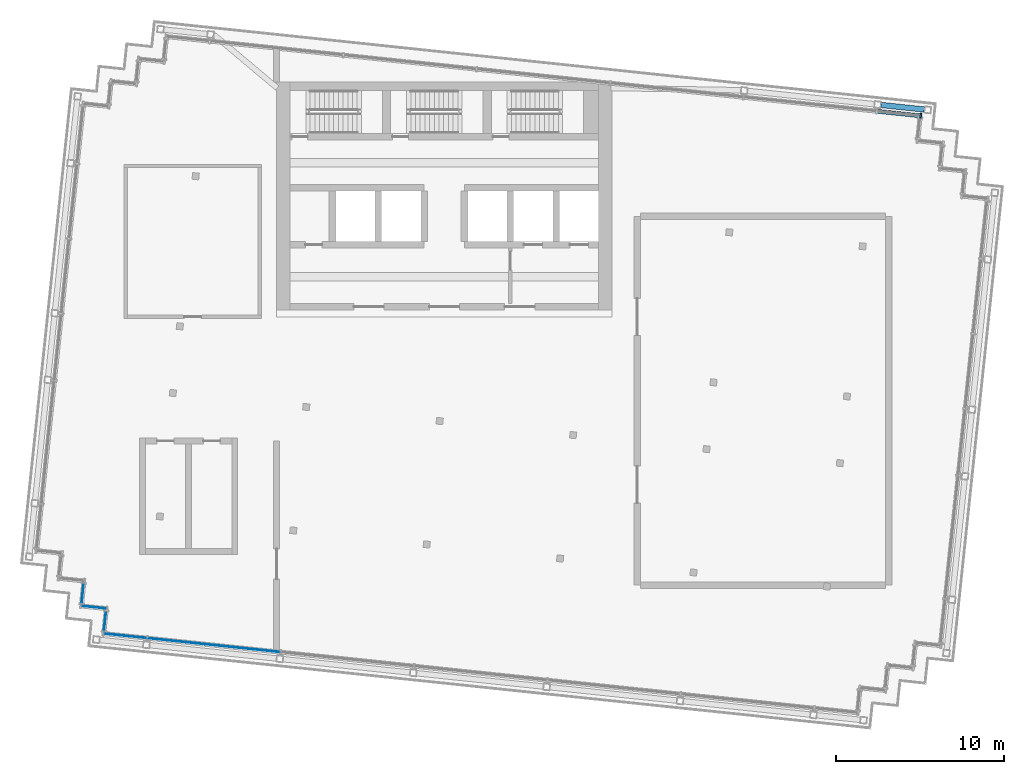
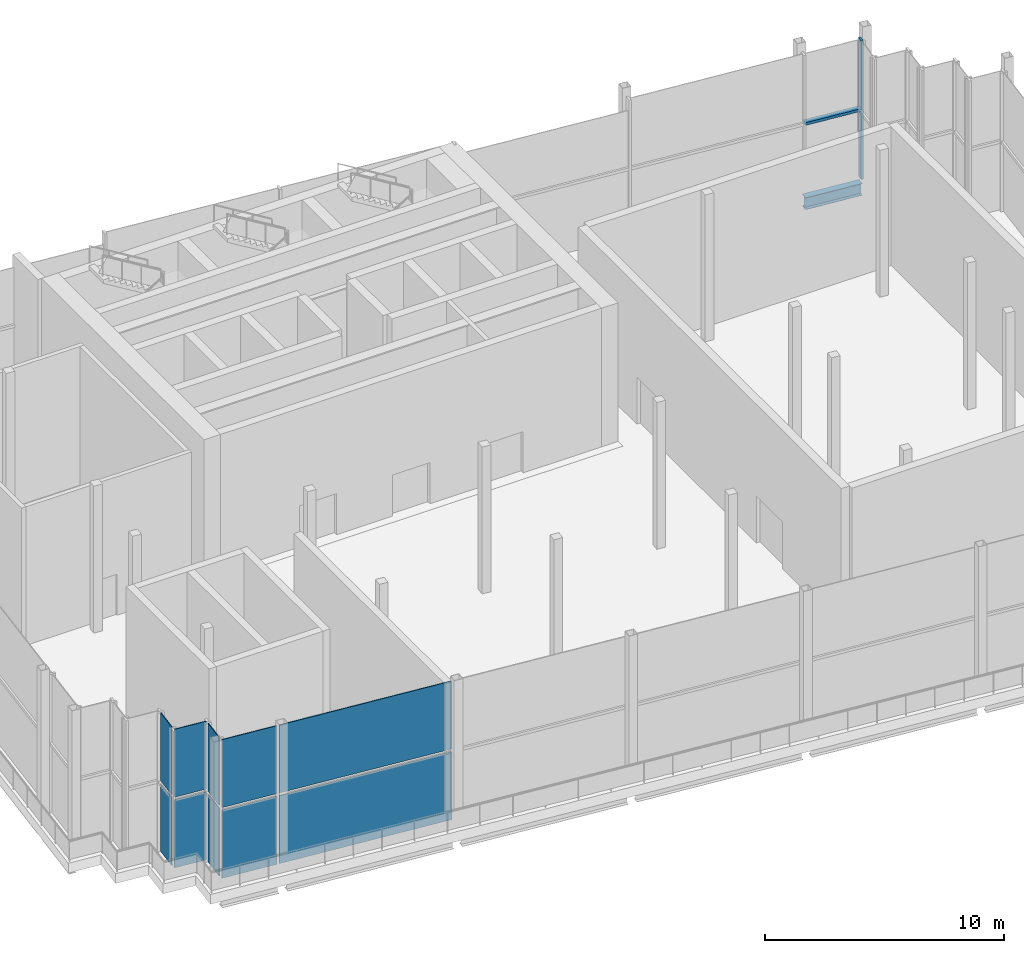
# One storey, part 6 of 14: 10 plates, 2 members, 1 beam, 5 elements without a shape of their own.
"""IFC4 building model written with IfcOpenShell, lengths in metres."""

from ifc_helpers import new_model, si_unit, direction, frame, origin, origin_2d, place, context, subcontext, project, spatial, rectangle, i_section, extrude, material, layer, layer_set, material_profile, profile_set, type_object, element, aggregate, save


model = new_model("IFC4")

# Units and contexts
model_context = context("Model", 3, precision=1e-05, world=origin(), true_north=direction((0.0, 1.0)))
body_context = subcontext(model_context, "Body", "Model", "MODEL_VIEW")
ifc_project = project(units=[si_unit("LENGTHUNIT", "METRE"), si_unit("AREAUNIT", "SQUARE_METRE"), si_unit("VOLUMEUNIT", "CUBIC_METRE"), si_unit("PLANEANGLEUNIT", "RADIAN"), si_unit("MASSUNIT", "GRAM", prefix="KILO")], contexts=[model_context])

# Site, building, storey
site_placement = place(None, origin())
site = spatial("IfcSite", under=ifc_project, at=site_placement, CompositionType="ELEMENT")
building_placement = place(site_placement, origin())
building = spatial("IfcBuilding", under=site, at=building_placement, Name="Vidyagriha Tower", CompositionType="ELEMENT")
storey_placement = place(building_placement, frame((0.0, 0.0, 301.699951171875)))
storey = spatial("IfcBuildingStorey", under=building, at=storey_placement, Name="L78", CompositionType="ELEMENT", Elevation=301.699951171875)

# Beam
ifc_material_1 = material(Name="Steel ASTM A992 Grade 50", Category="steel")
ifc_material_profile_1 = material_profile(ifc_material_1, i_section(OverallWidth=0.32373046875, OverallDepth=0.612060546875, WebThickness=0.0126953125, FlangeThickness=0.01904296875, at=origin_2d()), Name="W24X104")
ifc_profile_set_1 = profile_set([ifc_material_profile_1], Name="Steel ASTM A992 Grade 50")
beam_type = type_object("IfcBeamType", Name="Edge beam W24X104", PredefinedType="SPANDREL", material=ifc_profile_set_1)
beam_placement = place(storey_placement, frame((26.037109375, 18.641357421875, -0.805908203125), z_axis=(0.99451368233, -0.104606575594, 0.0), x_axis=(0.104606575594, 0.99451368233, 0.0)))
element("IfcBeam", 1, at=beam_placement, inside=storey, type_object=beam_type, Name="st-beam-L78-NE20", PredefinedType="SPANDREL", context=body_context, shape_type="SweptSolid", body=[
    extrude(i_section(OverallWidth=0.32373046875, OverallDepth=0.612060546875, WebThickness=0.0126953125, FlangeThickness=0.01904296875, at=origin_2d()), origin(), (0.0, 0.0, 1.0), 2.599853515625),
])

# Curtain wall, members
ifc_material_2 = material(Name="Aluminium and glass curtain wall", Category="aluminium")
curtain_wall_type = type_object("IfcCurtainWallType", Name="Damper floor glazing wall", PredefinedType="USERDEFINED", material=ifc_material_2)
curtain_wall_1_placement = place(storey_placement, origin())
curtain_wall_1 = element("IfcCurtainWall", 2, at=curtain_wall_1_placement, inside=storey, type_object=curtain_wall_type, Name="CW5 damper floor glazing", ObjectType="STICK GLAZING", PredefinedType="USERDEFINED")
ifc_material_3 = material(Name="Aluminium black anodised", Category="aluminium")
ifc_material_profile_2 = material_profile(ifc_material_3, rectangle(XDim=0.300048828125, YDim=0.10009765625, at=origin_2d()), Name="Mullion 100x300 black aluminium")
ifc_profile_set_2 = profile_set([ifc_material_profile_2], Name="Aluminium black anodised")
member_type_1 = type_object("IfcMemberType", Name="Mullion 100x300 black aluminium", PredefinedType="MULLION", material=ifc_profile_set_2)
member_1_placement = place(storey_placement, frame((28.411865234375, 17.989501953125, 0.0), z_axis=(0.0, 0.0, 1.0), x_axis=(-0.104528022383, -0.994521941707, 0.0)))
member_1 = element("IfcMember", 3, at=member_1_placement, type_object=member_type_1, Name="CW5 mullion 1", PredefinedType="MULLION", context=body_context, shape_type="SweptSolid", body=[
    extrude(rectangle(XDim=0.300048828125, YDim=0.10009765625, at=origin_2d()), origin(), (0.0, 0.0, 1.0), 7.080078125),
])
ifc_material_4 = material(Name="Aluminium black anodised", Category="aluminium")
ifc_material_profile_3 = material_profile(ifc_material_4, rectangle(XDim=0.239990234375, YDim=0.139892578125, at=origin_2d()), Name="Transom 140x240 black aluminium")
ifc_profile_set_3 = profile_set([ifc_material_profile_3], Name="Aluminium black anodised")
member_type_2 = type_object("IfcMemberType", Name="Transom 140x240 black aluminium", PredefinedType="USERDEFINED", material=ifc_profile_set_3)
member_2_placement = place(storey_placement, frame((28.3623046875, 17.99462890625, 3.5400390625), z_axis=(-0.994523944136, 0.104508968707, 0.0), x_axis=(-0.104508968707, -0.994523944136, 0.0)))
member_2 = element("IfcMember", 4, at=member_2_placement, type_object=member_type_2, Name="CW5 transom 1.1", ObjectType="TRANSOM", PredefinedType="USERDEFINED", context=body_context, shape_type="SweptSolid", body=[
    extrude(rectangle(XDim=0.239990234375, YDim=0.139892578125, at=origin_2d()), origin(), (0.0, 0.0, 1.0), 2.530029296875),
])
aggregate(curtain_wall_1, [member_1, member_2])

# Curtain wall, plates
curtain_wall_2_placement = place(storey_placement, origin())
curtain_wall_2 = element("IfcCurtainWall", 5, at=curtain_wall_2_placement, inside=storey, type_object=curtain_wall_type, Name="CW5 damper floor glazing", ObjectType="STICK GLAZING", PredefinedType="USERDEFINED")
ifc_material_5 = material(Name="Glass clear low-iron", Category="glass")
ifc_layer = layer(ifc_material_5, 0.0400390625)
ifc_layer_set = layer_set([ifc_layer], Name="Glass clear low-iron")
plate_type = type_object("IfcPlateType", Name="Clear damper floor glass panel", PredefinedType="CURTAIN_PANEL", material=ifc_layer_set)
plate_1_placement = place(storey_placement, frame((-21.569091796875, -10.4921875, 0.0), z_axis=(0.0, 0.0, 1.0), x_axis=(-0.104548823962, -0.994519755162, 0.0)))
plate_1 = element("IfcPlate", 6, at=plate_1_placement, type_object=plate_type, Name="CW5 panel 1.1", PredefinedType="CURTAIN_PANEL", context=body_context, shape_type="SweptSolid", body=[
    extrude(rectangle(XDim=1.139892578125, YDim=0.0400390625, at=origin_2d()), origin(), (0.0, 0.0, 1.0), 3.469970703125),
])
plate_2_placement = place(storey_placement, frame((-21.569091796875, -10.4921875, 3.60986328125), z_axis=(0.0, 0.0, 1.0), x_axis=(-0.104548823962, -0.994519755162, 0.0)))
plate_2 = element("IfcPlate", 7, at=plate_2_placement, type_object=plate_type, Name="CW5 panel 1.2", PredefinedType="CURTAIN_PANEL", context=body_context, shape_type="SweptSolid", body=[
    extrude(rectangle(XDim=1.139892578125, YDim=0.0400390625, at=origin_2d()), origin(), (0.0, 0.0, 1.0), 3.469970703125),
])
aggregate(curtain_wall_2, [plate_1, plate_2])

curtain_wall_3_placement = place(storey_placement, origin())
curtain_wall_3 = element("IfcCurtainWall", 8, at=curtain_wall_3_placement, inside=storey, type_object=curtain_wall_type, Name="CW5 damper floor glazing", ObjectType="STICK GLAZING", PredefinedType="USERDEFINED")
plate_3_placement = place(storey_placement, frame((-20.901611328125, -11.31640625, 0.0), z_axis=(0.0, 0.0, 1.0), x_axis=(0.994522933756, -0.104518583201, 0.0)))
plate_3 = element("IfcPlate", 9, at=plate_3_placement, type_object=plate_type, Name="CW5 panel 1.1", PredefinedType="CURTAIN_PANEL", context=body_context, shape_type="SweptSolid", body=[
    extrude(rectangle(XDim=1.4599609375, YDim=0.0400390625, at=origin_2d()), origin(), (0.0, 0.0, 1.0), 3.469970703125),
])
plate_4_placement = place(storey_placement, frame((-20.901611328125, -11.31640625, 3.60986328125), z_axis=(0.0, 0.0, 1.0), x_axis=(0.994522933756, -0.104518583201, 0.0)))
plate_4 = element("IfcPlate", 10, at=plate_4_placement, type_object=plate_type, Name="CW5 panel 1.2", PredefinedType="CURTAIN_PANEL", context=body_context, shape_type="SweptSolid", body=[
    extrude(rectangle(XDim=1.4599609375, YDim=0.0400390625, at=origin_2d()), origin(), (0.0, 0.0, 1.0), 3.469970703125),
])
aggregate(curtain_wall_3, [plate_3, plate_4])

curtain_wall_4_placement = place(storey_placement, origin())
curtain_wall_4 = element("IfcCurtainWall", 11, at=curtain_wall_4_placement, inside=storey, type_object=curtain_wall_type, Name="CW5 damper floor glazing", ObjectType="STICK GLAZING", PredefinedType="USERDEFINED")
plate_5_placement = place(storey_placement, frame((-20.23388671875, -12.140625, 0.0), z_axis=(0.0, 0.0, 1.0), x_axis=(-0.104556583677, -0.994518939392, 0.0)))
plate_5 = element("IfcPlate", 12, at=plate_5_placement, type_object=plate_type, Name="CW5 panel 1.1", PredefinedType="CURTAIN_PANEL", context=body_context, shape_type="SweptSolid", body=[
    extrude(rectangle(XDim=1.139892578125, YDim=0.0400390625, at=origin_2d()), origin(), (0.0, 0.0, 1.0), 3.469970703125),
])
plate_6_placement = place(storey_placement, frame((-20.23388671875, -12.140625, 3.60986328125), z_axis=(0.0, 0.0, 1.0), x_axis=(-0.104556583677, -0.994518939392, 0.0)))
plate_6 = element("IfcPlate", 13, at=plate_6_placement, type_object=plate_type, Name="CW5 panel 1.2", PredefinedType="CURTAIN_PANEL", context=body_context, shape_type="SweptSolid", body=[
    extrude(rectangle(XDim=1.139892578125, YDim=0.0400390625, at=origin_2d()), origin(), (0.0, 0.0, 1.0), 3.469970703125),
])
aggregate(curtain_wall_4, [plate_5, plate_6])

curtain_wall_5_placement = place(storey_placement, origin())
curtain_wall_5 = element("IfcCurtainWall", 14, at=curtain_wall_5_placement, inside=storey, type_object=curtain_wall_type, Name="CW5 damper floor glazing", ObjectType="STICK GLAZING", PredefinedType="USERDEFINED")
plate_7_placement = place(storey_placement, frame((-19.034423828125, -13.02099609375, 0.0), z_axis=(0.0, 0.0, 1.0), x_axis=(0.99452191762, -0.104528251556, 0.0)))
plate_7 = element("IfcPlate", 15, at=plate_7_placement, type_object=plate_type, Name="CW5 panel 1.1", PredefinedType="CURTAIN_PANEL", context=body_context, shape_type="SweptSolid", body=[
    extrude(rectangle(XDim=2.530029296875, YDim=0.0400390625, at=origin_2d()), origin(), (0.0, 0.0, 1.0), 3.469970703125),
])
plate_8_placement = place(storey_placement, frame((-19.034423828125, -13.02099609375, 3.60986328125), z_axis=(0.0, 0.0, 1.0), x_axis=(0.99452191762, -0.104528251556, 0.0)))
plate_8 = element("IfcPlate", 16, at=plate_8_placement, type_object=plate_type, Name="CW5 panel 1.2", PredefinedType="CURTAIN_PANEL", context=body_context, shape_type="SweptSolid", body=[
    extrude(rectangle(XDim=2.530029296875, YDim=0.0400390625, at=origin_2d()), origin(), (0.0, 0.0, 1.0), 3.469970703125),
])
plate_9_placement = place(storey_placement, frame((-13.74853515625, -13.576416015625, 0.0), z_axis=(0.0, 0.0, 1.0), x_axis=(0.99452191762, -0.104528251556, 0.0)))
plate_9 = element("IfcPlate", 17, at=plate_9_placement, type_object=plate_type, Name="CW5 panel 2.1", PredefinedType="CURTAIN_PANEL", context=body_context, shape_type="SweptSolid", body=[
    extrude(rectangle(XDim=7.89990234375, YDim=0.0400390625, at=origin_2d()), origin(), (0.0, 0.0, 1.0), 3.469970703125),
])
plate_10_placement = place(storey_placement, frame((-13.74853515625, -13.576416015625, 3.60986328125), z_axis=(0.0, 0.0, 1.0), x_axis=(0.99452191762, -0.104528251556, 0.0)))
plate_10 = element("IfcPlate", 18, at=plate_10_placement, type_object=plate_type, Name="CW5 panel 2.2", PredefinedType="CURTAIN_PANEL", context=body_context, shape_type="SweptSolid", body=[
    extrude(rectangle(XDim=7.89990234375, YDim=0.0400390625, at=origin_2d()), origin(), (0.0, 0.0, 1.0), 3.469970703125),
])
aggregate(curtain_wall_5, [plate_7, plate_8, plate_9, plate_10])

save(model, "model.ifc")
